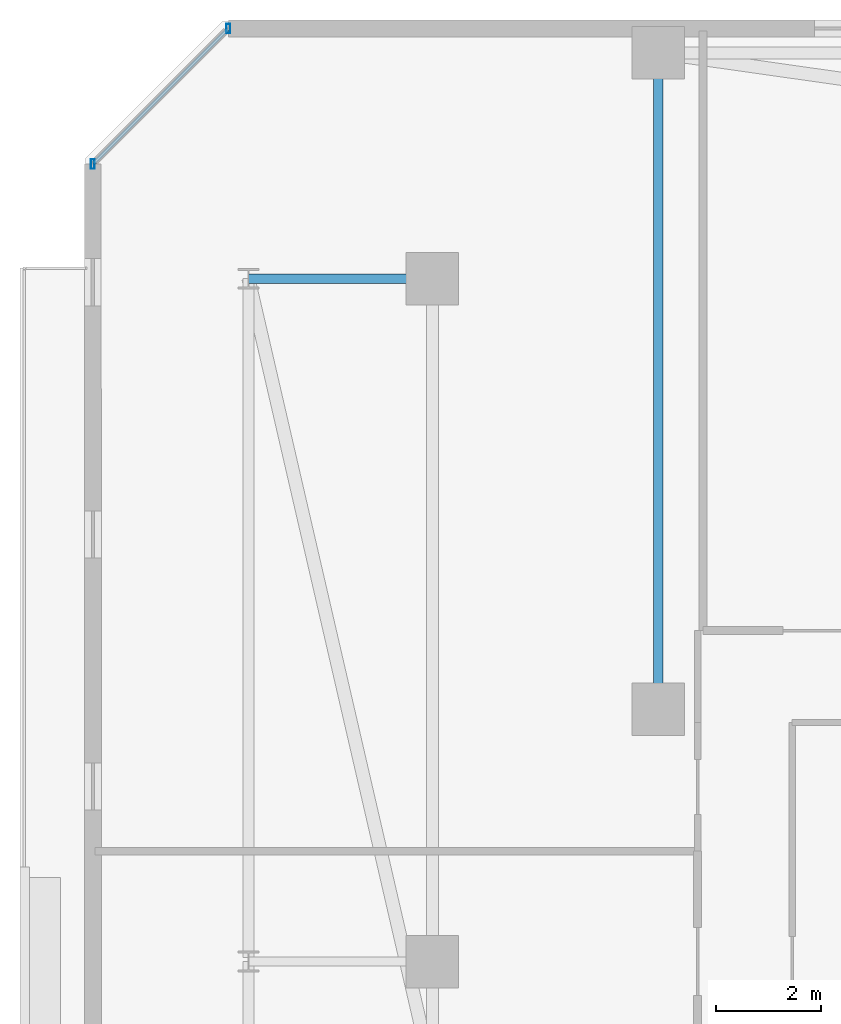
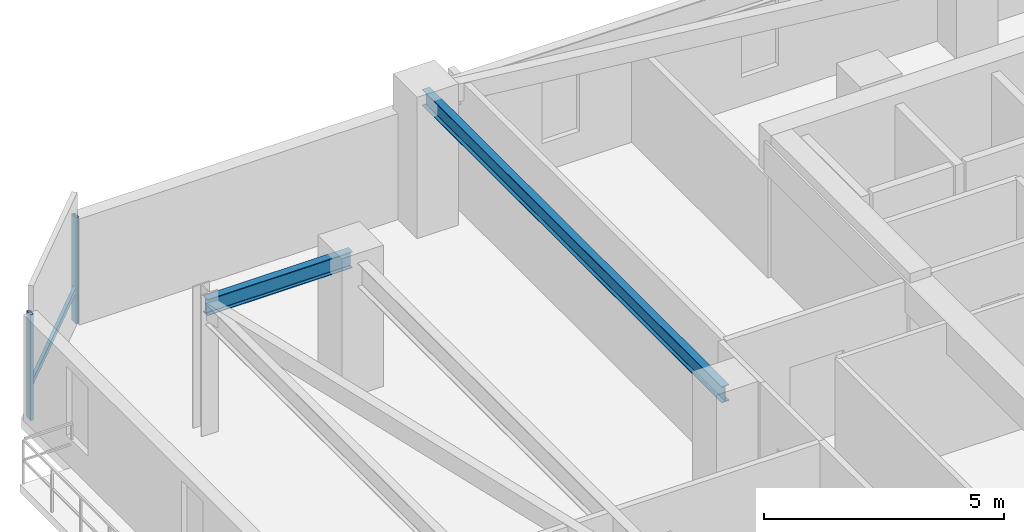
# One storey, part 7 of 31: 3 members, 2 beams, 1 element without a shape of its own.
"""IFC4 building model written with IfcOpenShell, lengths in metres."""

from ifc_helpers import new_model, si_unit, direction, frame, origin, origin_2d, place, context, subcontext, project, spatial, hollow_rectangle, i_section, extrude, material, material_profile, profile_set, type_object, element, aggregate, save


model = new_model("IFC4")

# Units and contexts
model_context = context("Model", 3, precision=1e-05, world=origin(), true_north=direction((0.0, 1.0)))
body_context = subcontext(model_context, "Body", "Model", "MODEL_VIEW")
ifc_project = project(units=[si_unit("LENGTHUNIT", "METRE"), si_unit("AREAUNIT", "SQUARE_METRE"), si_unit("VOLUMEUNIT", "CUBIC_METRE"), si_unit("PLANEANGLEUNIT", "RADIAN"), si_unit("MASSUNIT", "GRAM", prefix="KILO")], contexts=[model_context])

# Site, building, storey
site_placement = place(None, origin())
site = spatial("IfcSite", under=ifc_project, at=site_placement, CompositionType="ELEMENT")
building_placement = place(site_placement, origin())
building = spatial("IfcBuilding", under=site, at=building_placement, Name="Thornwick Lancets Civic Towers", CompositionType="ELEMENT")
storey_placement = place(building_placement, frame((0.0, 0.0, 233.10009765625)))
storey = spatial("IfcBuildingStorey", under=building, at=storey_placement, Name="L62", CompositionType="ELEMENT", Elevation=233.10009765625)

# Beams
ifc_material_1 = material(Name="Steel S355JR", Category="steel")
ifc_material_profile_1 = material_profile(ifc_material_1, i_section(OverallWidth=0.179443359375, OverallDepth=0.412841796875, WebThickness=0.009521484375, FlangeThickness=0.01611328125, FilletRadius=0.01025390625, at=origin_2d()), Name="UKB 406x178x74")
ifc_profile_set_1 = profile_set([ifc_material_profile_1], Name="Steel S355JR")
beam_type = type_object("IfcBeamType", Name="BM_JOIST_406_74", PredefinedType="JOIST", material=ifc_profile_set_1)
beam_1_placement = place(storey_placement, frame((12.5, 31.800048828125, 3.153564453125), z_axis=(0.0, 1.0, 0.0), x_axis=(-1.0, 0.0, 0.0)))
element("IfcBeam", 1, at=beam_1_placement, inside=storey, type_object=beam_type, Name="BM-RADIN-L62-A07", PredefinedType="JOIST", context=body_context, shape_type="SweptSolid", body=[
    extrude(i_section(OverallWidth=0.179443359375, OverallDepth=0.412841796875, WebThickness=0.009521484375, FlangeThickness=0.01611328125, FilletRadius=0.01025390625, at=origin_2d()), origin(), (0.0, 0.0, 1.0), 12.5),
])
beam_2_placement = place(storey_placement, frame((8.199951171875, 40.0, 3.153564453125), z_axis=(-1.0, 0.0, 0.0), x_axis=(0.0, -1.0, 0.0)))
element("IfcBeam", 2, at=beam_2_placement, inside=storey, type_object=beam_type, Name="BM-RAD-L62-A12", PredefinedType="JOIST", context=body_context, shape_type="SweptSolid", body=[
    extrude(i_section(OverallWidth=0.179443359375, OverallDepth=0.412841796875, WebThickness=0.009521484375, FlangeThickness=0.01611328125, FilletRadius=0.01025390625, at=origin_2d()), origin(), (0.0, 0.0, 1.0), 3.5),
])

# Curtain wall, members
ifc_material_2 = material(Name="High-zone chamfered-corner unitised glass curtain wall", Category="glass")
curtain_wall_type = type_object("IfcCurtainWallType", Name="CW_SYS_05", PredefinedType="NOTDEFINED", material=ifc_material_2)
curtain_wall_placement = place(storey_placement, origin())
curtain_wall = element("IfcCurtainWall", 3, at=curtain_wall_placement, inside=storey, type_object=curtain_wall_type, Name="L62 Curtain Wall CW-L62-A-E5", PredefinedType="NOTDEFINED")
ifc_material_3 = material(Name="Thermally broken bronze aluminium S355", Category="steel")
ifc_material_profile_2 = material_profile(ifc_material_3, hollow_rectangle(XDim=0.074951171875, YDim=0.179931640625, WallThickness=0.006103515625, at=origin_2d()), Name="RHS 180x75x6")
ifc_profile_set_2 = profile_set([ifc_material_profile_2], Name="Thermally broken bronze aluminium S355")
member_type_1 = type_object("IfcMemberType", Name="CW_MUL_180", PredefinedType="MULLION", material=ifc_profile_set_2)
member_1_placement = place(storey_placement, frame((4.318603515625, 44.7646484375, 0.0), z_axis=(0.0, 0.0, 1.0), x_axis=(1.0, 0.0, 0.0)))
member_1 = element("IfcMember", 4, at=member_1_placement, type_object=member_type_1, Name="CW-L62-A-E5 Mullion 0", PredefinedType="MULLION", context=body_context, shape_type="SweptSolid", body=[
    extrude(hollow_rectangle(XDim=0.074951171875, YDim=0.179931640625, WallThickness=0.006103515625, at=origin_2d()), origin(), (0.0, 0.0, 1.0), 2.699951171875),
])
member_2_placement = place(storey_placement, frame((1.7353515625, 42.181396484375, 0.0), z_axis=(0.0, 0.0, 1.0), x_axis=(1.0, 0.0, 0.0)))
member_2 = element("IfcMember", 5, at=member_2_placement, type_object=member_type_1, Name="CW-L62-A-E5 Mullion 1", PredefinedType="MULLION", context=body_context, shape_type="SweptSolid", body=[
    extrude(hollow_rectangle(XDim=0.074951171875, YDim=0.179931640625, WallThickness=0.006103515625, at=origin_2d()), origin(), (0.0, 0.0, 1.0), 2.699951171875),
])
ifc_material_profile_3 = material_profile(ifc_material_3, hollow_rectangle(XDim=0.074951171875, YDim=0.14990234375, WallThickness=0.0048828125, at=origin_2d()), Name="RHS 150x75x5")
ifc_profile_set_3 = profile_set([ifc_material_profile_3], Name="Thermally broken bronze aluminium S355")
member_type_2 = type_object("IfcMemberType", Name="CW_TRN_150", PredefinedType="USERDEFINED", material=ifc_profile_set_3)
member_3_placement = place(storey_placement, frame((4.304443359375, 44.75048828125, 0.849853515625), z_axis=(-0.707106781187, -0.707106781187, 0.0), x_axis=(0.707106781187, -0.707106781187, 0.0)))
member_3 = element("IfcMember", 6, at=member_3_placement, type_object=member_type_2, Name="CW-L62-A-E5 Transom 0", ObjectType="TRANSOM", PredefinedType="USERDEFINED", context=body_context, shape_type="SweptSolid", body=[
    extrude(hollow_rectangle(XDim=0.074951171875, YDim=0.14990234375, WallThickness=0.0048828125, at=origin_2d()), origin(), (0.0, 0.0, 1.0), 3.61328125),
])
aggregate(curtain_wall, [member_1, member_2, member_3])

save(model, "model.ifc")
